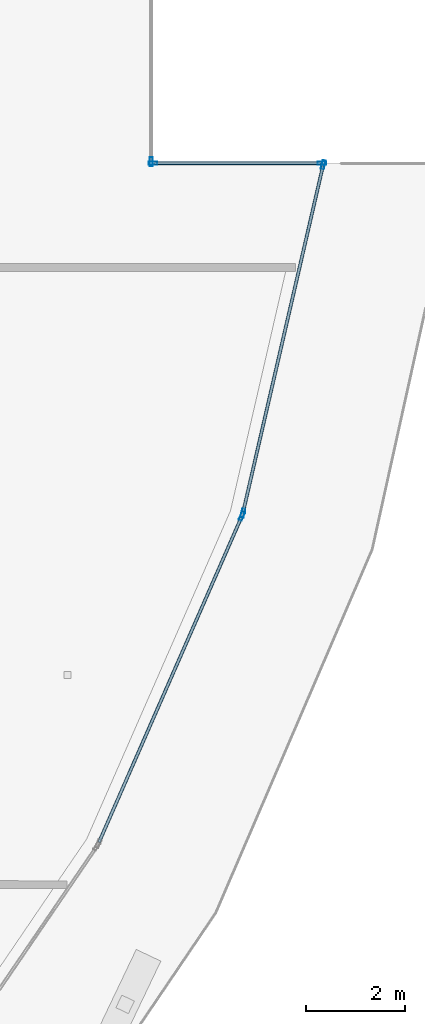
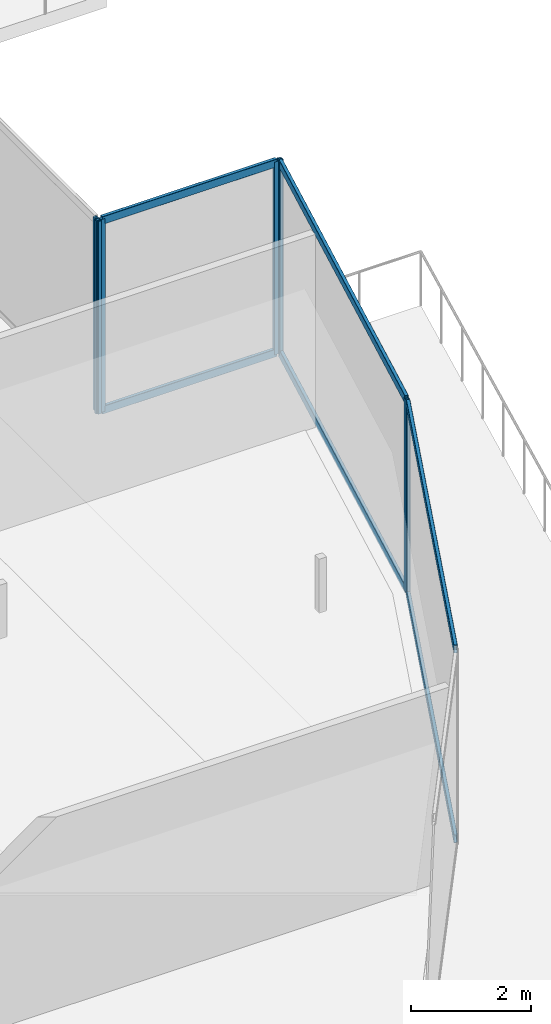
# One storey, part 23 of 44: 12 members, 4 elements without a shape of their own.
"""IFC4 building model written with IfcOpenShell, lengths in metres."""

from ifc_helpers import new_model, si_unit, direction, frame, origin, origin_2d, place, context, subcontext, project, spatial, hollow_rectangle, extrude, material, layer, layer_set, material_profile, profile_set, type_object, element, aggregate, save


model = new_model("IFC4")

# Units and contexts
model_context = context("Model", 3, precision=1e-05, world=origin(), true_north=direction((0.0, 1.0)))
body_context = subcontext(model_context, "Body", "Model", "MODEL_VIEW")
ifc_project = project(units=[si_unit("LENGTHUNIT", "METRE"), si_unit("AREAUNIT", "SQUARE_METRE"), si_unit("VOLUMEUNIT", "CUBIC_METRE"), si_unit("PLANEANGLEUNIT", "RADIAN"), si_unit("MASSUNIT", "GRAM", prefix="KILO")], contexts=[model_context])

# Site, building, storey
site_placement = place(None, origin())
site = spatial("IfcSite", under=ifc_project, at=site_placement, CompositionType="ELEMENT")
building_placement = place(site_placement, origin())
building = spatial("IfcBuilding", under=site, at=building_placement, Name="Qorvath Tower", CompositionType="ELEMENT")
storey_placement = place(building_placement, frame((0.0, 0.0, 70.199951171875)))
storey = spatial("IfcBuildingStorey", under=building, at=storey_placement, Name="L15", CompositionType="ELEMENT", Elevation=70.199951171875)

# Curtain wall, member
ifc_material_1 = material(Name="Anodised aluminium and triple low-E glass", Category="aluminium")
ifc_layer = layer(ifc_material_1, 0.179931640625)
ifc_layer_set = layer_set([ifc_layer], Name="CW-SYS-2")
curtain_wall_type = type_object("IfcCurtainWallType", Name="CW-SYS-2", PredefinedType="NOTDEFINED", material=ifc_layer_set)
curtain_wall_1_placement = place(storey_placement, origin())
curtain_wall_1 = element("IfcCurtainWall", 1, at=curtain_wall_1_placement, inside=storey, type_object=curtain_wall_type, Name="Curtain Wall CW-2 CW-T-L15-6.1", PredefinedType="NOTDEFINED")
ifc_material_2 = material(Name="Anodised aluminium 6063-T6", Category="aluminium")
ifc_material_profile_1 = material_profile(ifc_material_2, hollow_rectangle(XDim=0.06494140625, YDim=0.179931640625, WallThickness=0.00341796875, InnerFilletRadius=0.00341796875, OuterFilletRadius=0.007080078125, at=origin_2d()), Name="CWM 180x65")
ifc_profile_set_1 = profile_set([ifc_material_profile_1], Name="Anodised aluminium 6063-T6")
member_type_1 = type_object("IfcMemberType", Name="CWM-180", PredefinedType="MULLION", material=ifc_profile_set_1)
member_1_placement = place(storey_placement, frame((4.7890625, -12.36865234375, 0.0), z_axis=(0.0, 0.0, 1.0), x_axis=(-0.915925737134, 0.401347784416, 0.0)))
member_1 = element("IfcMember", 2, at=member_1_placement, type_object=member_type_1, Name="CW-2 mullion 2", PredefinedType="MULLION", context=body_context, shape_type="SweptSolid", body=[
    extrude(hollow_rectangle(XDim=0.06494140625, YDim=0.179931640625, WallThickness=0.00341796875, InnerFilletRadius=0.00341796875, OuterFilletRadius=0.007080078125, at=origin_2d()), origin(), (0.0, 0.0, 1.0), 3.920166015625),
])

# Curtain wall, members
curtain_wall_2_placement = place(storey_placement, origin())
curtain_wall_2 = element("IfcCurtainWall", 3, at=curtain_wall_2_placement, inside=storey, type_object=curtain_wall_type, Name="Curtain Wall CW-2 CW-T-L15-7.1", PredefinedType="NOTDEFINED")
member_2_placement = place(storey_placement, frame((4.809326171875, -12.30712890625, 0.0), z_axis=(0.0, 0.0, 1.0), x_axis=(-0.974413360078, 0.224763439425, 0.0)))
member_2 = element("IfcMember", 4, at=member_2_placement, type_object=member_type_1, Name="CW-2 mullion 1", PredefinedType="MULLION", context=body_context, shape_type="SweptSolid", body=[
    extrude(hollow_rectangle(XDim=0.06494140625, YDim=0.179931640625, WallThickness=0.00341796875, InnerFilletRadius=0.00341796875, OuterFilletRadius=0.007080078125, at=origin_2d()), origin(), (0.0, 0.0, 1.0), 3.920166015625),
])
member_3_placement = place(storey_placement, frame((6.43505859375, -5.259033203125, 0.0), z_axis=(0.0, 0.0, 1.0), x_axis=(-0.974413360078, 0.224763439425, 0.0)))
member_3 = element("IfcMember", 5, at=member_3_placement, type_object=member_type_1, Name="CW-2 mullion 2", PredefinedType="MULLION", context=body_context, shape_type="SweptSolid", body=[
    extrude(hollow_rectangle(XDim=0.06494140625, YDim=0.179931640625, WallThickness=0.00341796875, InnerFilletRadius=0.00341796875, OuterFilletRadius=0.007080078125, at=origin_2d()), origin(), (0.0, 0.0, 1.0), 3.920166015625),
])

curtain_wall_3_placement = place(storey_placement, origin())
curtain_wall_3 = element("IfcCurtainWall", 6, at=curtain_wall_3_placement, inside=storey, type_object=curtain_wall_type, Name="Curtain Wall CW-2 CW-T-L15-8.1", PredefinedType="NOTDEFINED")
member_4_placement = place(storey_placement, frame((6.409912109375, -5.227294921875, 0.0), z_axis=(0.0, 0.0, 1.0), x_axis=(0.0, -1.0, 0.0)))
member_4 = element("IfcMember", 7, at=member_4_placement, type_object=member_type_1, Name="CW-2 mullion 1", PredefinedType="MULLION", context=body_context, shape_type="SweptSolid", body=[
    extrude(hollow_rectangle(XDim=0.06494140625, YDim=0.179931640625, WallThickness=0.00341796875, InnerFilletRadius=0.00341796875, OuterFilletRadius=0.007080078125, at=origin_2d()), origin(), (0.0, 0.0, 1.0), 3.920166015625),
])
member_5_placement = place(storey_placement, frame((2.989990234375, -5.227294921875, 0.0), z_axis=(0.0, 0.0, 1.0), x_axis=(0.0, -1.0, 0.0)))
member_5 = element("IfcMember", 8, at=member_5_placement, type_object=member_type_1, Name="CW-2 mullion 2", PredefinedType="MULLION", context=body_context, shape_type="SweptSolid", body=[
    extrude(hollow_rectangle(XDim=0.06494140625, YDim=0.179931640625, WallThickness=0.00341796875, InnerFilletRadius=0.00341796875, OuterFilletRadius=0.007080078125, at=origin_2d()), origin(), (0.0, 0.0, 1.0), 3.920166015625),
])

# Curtain wall, member
curtain_wall_4_placement = place(storey_placement, origin())
curtain_wall_4 = element("IfcCurtainWall", 9, at=curtain_wall_4_placement, inside=storey, type_object=curtain_wall_type, Name="Curtain Wall CW-2 CW-T-L15-9.1", PredefinedType="NOTDEFINED")
member_6_placement = place(storey_placement, frame((2.95751953125, -5.19482421875, 0.0), z_axis=(0.0, 0.0, 1.0), x_axis=(-1.0, 0.0, 0.0)))
member_6 = element("IfcMember", 10, at=member_6_placement, type_object=member_type_1, Name="CW-2 mullion 1", PredefinedType="MULLION", context=body_context, shape_type="SweptSolid", body=[
    extrude(hollow_rectangle(XDim=0.06494140625, YDim=0.179931640625, WallThickness=0.00341796875, InnerFilletRadius=0.00341796875, OuterFilletRadius=0.007080078125, at=origin_2d()), origin(), (0.0, 0.0, 1.0), 3.920166015625),
])
aggregate(curtain_wall_4, [member_6])

# Member
ifc_material_3 = material(Name="Anodised aluminium 6063-T6", Category="aluminium")
ifc_material_profile_2 = material_profile(ifc_material_3, hollow_rectangle(XDim=0.06494140625, YDim=0.159912109375, WallThickness=0.00341796875, InnerFilletRadius=0.00341796875, OuterFilletRadius=0.007080078125, at=origin_2d()), Name="CWT 160x65")
ifc_profile_set_2 = profile_set([ifc_material_profile_2], Name="Anodised aluminium 6063-T6")
member_type_2 = type_object("IfcMemberType", Name="CWT-160", PredefinedType="USERDEFINED", material=ifc_profile_set_2)
member_7_placement = place(storey_placement, frame((1.89892578125, -18.964111328125, 0.032470703125), z_axis=(0.401342260433, 0.915928157658, 0.0), x_axis=(-0.915928157658, 0.401342260433, 0.0)))
member_7 = element("IfcMember", 11, at=member_7_placement, type_object=member_type_2, Name="CW-2 transom 1.1", ObjectType="TRANSOM", PredefinedType="USERDEFINED", context=body_context, shape_type="SweptSolid", body=[
    extrude(hollow_rectangle(XDim=0.06494140625, YDim=0.159912109375, WallThickness=0.00341796875, InnerFilletRadius=0.00341796875, OuterFilletRadius=0.007080078125, at=origin_2d()), origin(), (0.0, 0.0, 1.0), 7.168212890625),
])

member_8_placement = place(storey_placement, frame((1.89892578125, -18.964111328125, 3.8876953125), z_axis=(0.401342260433, 0.915928157658, 0.0), x_axis=(-0.915928157658, 0.401342260433, 0.0)))
member_8 = element("IfcMember", 12, at=member_8_placement, type_object=member_type_2, Name="CW-2 transom 1.2", ObjectType="TRANSOM", PredefinedType="USERDEFINED", context=body_context, shape_type="SweptSolid", body=[
    extrude(hollow_rectangle(XDim=0.06494140625, YDim=0.159912109375, WallThickness=0.00341796875, InnerFilletRadius=0.00341796875, OuterFilletRadius=0.007080078125, at=origin_2d()), origin(), (0.0, 0.0, 1.0), 7.168212890625),
])

aggregate(curtain_wall_1, [member_1, member_7, member_8])

member_9_placement = place(storey_placement, frame((4.816650390625, -12.275634765625, 0.032470703125), z_axis=(0.224745087436, 0.974417593064, 0.0), x_axis=(-0.974417593064, 0.224745087436, 0.0)))
member_9 = element("IfcMember", 13, at=member_9_placement, type_object=member_type_2, Name="CW-2 transom 1.1", ObjectType="TRANSOM", PredefinedType="USERDEFINED", context=body_context, shape_type="SweptSolid", body=[
    extrude(hollow_rectangle(XDim=0.06494140625, YDim=0.159912109375, WallThickness=0.00341796875, InnerFilletRadius=0.00341796875, OuterFilletRadius=0.007080078125, at=origin_2d()), origin(), (0.0, 0.0, 1.0), 7.16845703125),
])

member_10_placement = place(storey_placement, frame((4.816650390625, -12.275634765625, 3.8876953125), z_axis=(0.224745087436, 0.974417593064, 0.0), x_axis=(-0.974417593064, 0.224745087436, 0.0)))
member_10 = element("IfcMember", 14, at=member_10_placement, type_object=member_type_2, Name="CW-2 transom 1.2", ObjectType="TRANSOM", PredefinedType="USERDEFINED", context=body_context, shape_type="SweptSolid", body=[
    extrude(hollow_rectangle(XDim=0.06494140625, YDim=0.159912109375, WallThickness=0.00341796875, InnerFilletRadius=0.00341796875, OuterFilletRadius=0.007080078125, at=origin_2d()), origin(), (0.0, 0.0, 1.0), 7.16845703125),
])

aggregate(curtain_wall_2, [member_2, member_3, member_9, member_10])

member_11_placement = place(storey_placement, frame((6.37744140625, -5.227294921875, 0.032470703125), z_axis=(-1.0, 0.0, 0.0), x_axis=(0.0, -1.0, 0.0)))
member_11 = element("IfcMember", 15, at=member_11_placement, type_object=member_type_2, Name="CW-2 transom 1.1", ObjectType="TRANSOM", PredefinedType="USERDEFINED", context=body_context, shape_type="SweptSolid", body=[
    extrude(hollow_rectangle(XDim=0.06494140625, YDim=0.159912109375, WallThickness=0.00341796875, InnerFilletRadius=0.00341796875, OuterFilletRadius=0.007080078125, at=origin_2d()), origin(), (0.0, 0.0, 1.0), 3.35498046875),
])

member_12_placement = place(storey_placement, frame((6.37744140625, -5.227294921875, 3.8876953125), z_axis=(-1.0, 0.0, 0.0), x_axis=(0.0, -1.0, 0.0)))
member_12 = element("IfcMember", 16, at=member_12_placement, type_object=member_type_2, Name="CW-2 transom 1.2", ObjectType="TRANSOM", PredefinedType="USERDEFINED", context=body_context, shape_type="SweptSolid", body=[
    extrude(hollow_rectangle(XDim=0.06494140625, YDim=0.159912109375, WallThickness=0.00341796875, InnerFilletRadius=0.00341796875, OuterFilletRadius=0.007080078125, at=origin_2d()), origin(), (0.0, 0.0, 1.0), 3.35498046875),
])

aggregate(curtain_wall_3, [member_4, member_5, member_11, member_12])

save(model, "model.ifc")
